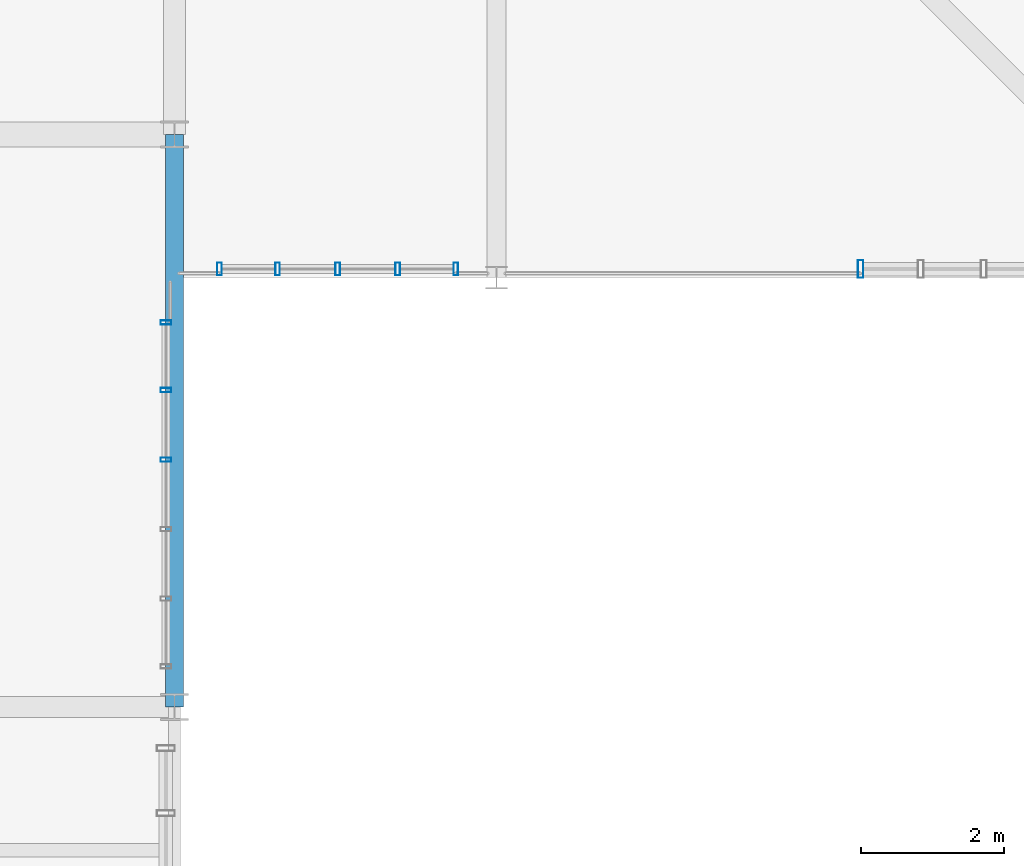
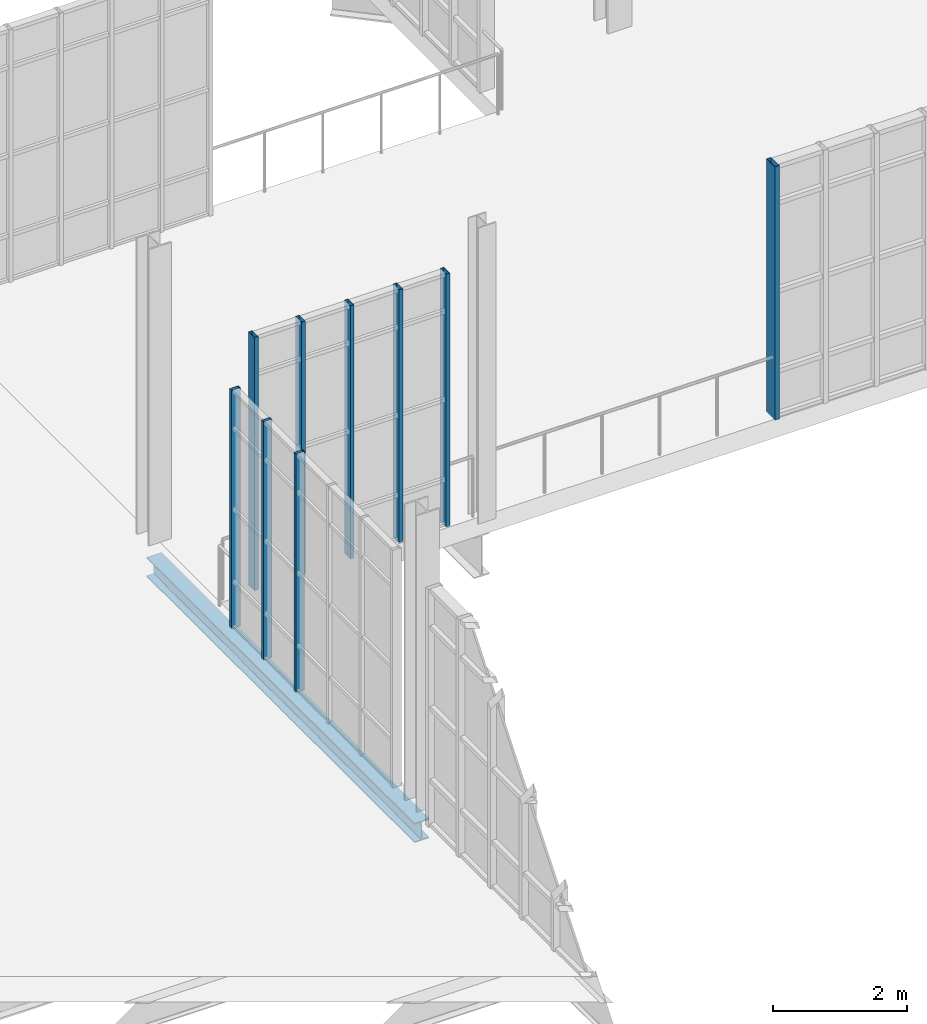
# One storey, part 22 of 189: 9 members, 1 beam, 3 elements without a shape of their own.
"""IFC4 building model written with IfcOpenShell, lengths in metres."""

from ifc_helpers import new_model, si_unit, direction, frame, origin, origin_2d, place, context, subcontext, project, spatial, hollow_rectangle, i_section, extrude, material, layer, layer_set, material_profile, profile_set, type_object, element, aggregate, save


model = new_model("IFC4")

# Units and contexts
model_context = context("Model", 3, precision=1e-05, world=origin(), true_north=direction((0.0, 1.0)))
body_context = subcontext(model_context, "Body", "Model", "MODEL_VIEW")
ifc_project = project(units=[si_unit("LENGTHUNIT", "METRE"), si_unit("AREAUNIT", "SQUARE_METRE"), si_unit("VOLUMEUNIT", "CUBIC_METRE"), si_unit("PLANEANGLEUNIT", "RADIAN"), si_unit("MASSUNIT", "GRAM", prefix="KILO"), si_unit("THERMODYNAMICTEMPERATUREUNIT", "KELVIN"), si_unit("POWERUNIT", "WATT")], contexts=[model_context])

# Site, building, storey
site_placement = place(None, origin())
site = spatial("IfcSite", under=ifc_project, at=site_placement, CompositionType="ELEMENT")
building_placement = place(site_placement, origin())
building = spatial("IfcBuilding", under=site, at=building_placement, Name="Zelmaris Science Centre", CompositionType="ELEMENT")
storey_placement = place(building_placement, origin())
storey = spatial("IfcBuildingStorey", under=building, at=storey_placement, Name="L00", CompositionType="ELEMENT", Elevation=0.0)

# Curtain wall, members
ifc_material_1 = material(Name="Anodised architectural aluminium 6063-T6", Category="aluminium")
ifc_layer_1 = layer(ifc_material_1, 0.219970703125, Name="Anodised architectural aluminium 6063-T6")
ifc_layer_set_1 = layer_set([ifc_layer_1], Name="Anodised architectural aluminium 6063-T6")
curtain_wall_type_1 = type_object("IfcCurtainWallType", Name="Curtain Wall CW-04", PredefinedType="USERDEFINED", material=ifc_layer_set_1)
curtain_wall_1_placement = place(storey_placement, origin())
curtain_wall_1 = element("IfcCurtainWall", 1, at=curtain_wall_1_placement, inside=storey, type_object=curtain_wall_type_1, Name="L00 Unitised curtain wall 124", ObjectType="GLAZED CURTAIN WALL", PredefinedType="USERDEFINED")
ifc_material_profile_1 = material_profile(ifc_material_1, hollow_rectangle(XDim=0.06005859375, YDim=0.14990234375, WallThickness=0.00341796875, at=origin_2d()), Name="ALU-MUL-60X150")
ifc_profile_set_1 = profile_set([ifc_material_profile_1], Name="Anodised architectural aluminium 6063-T6")
member_type_1 = type_object("IfcMemberType", Name="ALU-MUL-60X150", PredefinedType="MULLION", material=ifc_profile_set_1)
member_1_placement = place(storey_placement, frame((53.8798828125, 21.3740234375, -0.014892578125), z_axis=(0.0, 0.0, 1.0), x_axis=(-5.235988e-06, -0.999999999986, 0.0)))
member_1 = element("IfcMember", 2, at=member_1_placement, type_object=member_type_1, Name="CW-04 mullion 1", PredefinedType="MULLION", context=body_context, shape_type="SweptSolid", body=[
    extrude(hollow_rectangle(XDim=0.06005859375, YDim=0.14990234375, WallThickness=0.00341796875, at=origin_2d()), origin(), (0.0, 0.0, 1.0), 4.345947265625),
])
member_2_placement = place(storey_placement, frame((53.8798828125, 20.427978515625, -0.014892578125), z_axis=(0.0, 0.0, 1.0), x_axis=(-5.235988e-06, -0.999999999986, 0.0)))
member_2 = element("IfcMember", 3, at=member_2_placement, type_object=member_type_1, Name="CW-04 mullion 2", PredefinedType="MULLION", context=body_context, shape_type="SweptSolid", body=[
    extrude(hollow_rectangle(XDim=0.06005859375, YDim=0.14990234375, WallThickness=0.00341796875, at=origin_2d()), origin(), (0.0, 0.0, 1.0), 4.345947265625),
])
member_3_placement = place(storey_placement, frame((53.8798828125, 19.4560546875, -0.014892578125), z_axis=(0.0, 0.0, 1.0), x_axis=(-5.235988e-06, -0.999999999986, 0.0)))
member_3 = element("IfcMember", 4, at=member_3_placement, type_object=member_type_1, Name="CW-04 mullion 3", PredefinedType="MULLION", context=body_context, shape_type="SweptSolid", body=[
    extrude(hollow_rectangle(XDim=0.06005859375, YDim=0.14990234375, WallThickness=0.00341796875, at=origin_2d()), origin(), (0.0, 0.0, 1.0), 4.345947265625),
])
aggregate(curtain_wall_1, [member_1, member_2, member_3])

ifc_layer_2 = layer(ifc_material_1, 0.2099609375, Name="Anodised architectural aluminium 6063-T6")
ifc_layer_set_2 = layer_set([ifc_layer_2], Name="Anodised architectural aluminium 6063-T6")
curtain_wall_type_2 = type_object("IfcCurtainWallType", Name="Curtain Wall CW-03", PredefinedType="USERDEFINED", material=ifc_layer_set_2)
curtain_wall_2_placement = place(storey_placement, origin())
curtain_wall_2 = element("IfcCurtainWall", 5, at=curtain_wall_2_placement, inside=storey, type_object=curtain_wall_type_2, Name="L00 Unitised curtain wall 123", ObjectType="GLAZED CURTAIN WALL", PredefinedType="USERDEFINED")
ifc_material_profile_2 = material_profile(ifc_material_1, hollow_rectangle(XDim=0.06494140625, YDim=0.179931640625, WallThickness=0.00390625, at=origin_2d()), Name="ALU-MUL-65X180")
ifc_profile_set_2 = profile_set([ifc_material_profile_2], Name="Anodised architectural aluminium 6063-T6")
member_type_2 = type_object("IfcMemberType", Name="ALU-MUL-65X180", PredefinedType="MULLION", material=ifc_profile_set_2)
member_4_placement = place(storey_placement, frame((57.931396484375, 22.119873046875, -0.014892578125), z_axis=(0.0, 0.0, 1.0), x_axis=(-0.999999999816, 1.9198622e-05, 0.0)))
member_4 = element("IfcMember", 6, at=member_4_placement, type_object=member_type_2, Name="CW-03 mullion 1", PredefinedType="MULLION", context=body_context, shape_type="SweptSolid", body=[
    extrude(hollow_rectangle(XDim=0.06494140625, YDim=0.179931640625, WallThickness=0.00390625, at=origin_2d()), origin(), (0.0, 0.0, 1.0), 4.614990234375),
])
member_5_placement = place(storey_placement, frame((57.1201171875, 22.119873046875, -0.014892578125), z_axis=(0.0, 0.0, 1.0), x_axis=(-0.999999999816, 1.9198622e-05, 0.0)))
member_5 = element("IfcMember", 7, at=member_5_placement, type_object=member_type_2, Name="CW-03 mullion 2", PredefinedType="MULLION", context=body_context, shape_type="SweptSolid", body=[
    extrude(hollow_rectangle(XDim=0.06494140625, YDim=0.179931640625, WallThickness=0.00390625, at=origin_2d()), origin(), (0.0, 0.0, 1.0), 4.614990234375),
])
member_6_placement = place(storey_placement, frame((56.280029296875, 22.119873046875, -0.014892578125), z_axis=(0.0, 0.0, 1.0), x_axis=(-0.999999999816, 1.9198622e-05, 0.0)))
member_6 = element("IfcMember", 8, at=member_6_placement, type_object=member_type_2, Name="CW-03 mullion 3", PredefinedType="MULLION", context=body_context, shape_type="SweptSolid", body=[
    extrude(hollow_rectangle(XDim=0.06494140625, YDim=0.179931640625, WallThickness=0.00390625, at=origin_2d()), origin(), (0.0, 0.0, 1.0), 4.614990234375),
])
member_7_placement = place(storey_placement, frame((55.43994140625, 22.119873046875, -0.014892578125), z_axis=(0.0, 0.0, 1.0), x_axis=(-0.999999999816, 1.9198622e-05, 0.0)))
member_7 = element("IfcMember", 9, at=member_7_placement, type_object=member_type_2, Name="CW-03 mullion 4", PredefinedType="MULLION", context=body_context, shape_type="SweptSolid", body=[
    extrude(hollow_rectangle(XDim=0.06494140625, YDim=0.179931640625, WallThickness=0.00390625, at=origin_2d()), origin(), (0.0, 0.0, 1.0), 4.614990234375),
])
member_8_placement = place(storey_placement, frame((54.62841796875, 22.1201171875, -0.014892578125), z_axis=(0.0, 0.0, 1.0), x_axis=(-0.999999999816, 1.9198622e-05, 0.0)))
member_8 = element("IfcMember", 10, at=member_8_placement, type_object=member_type_2, Name="CW-03 mullion 5", PredefinedType="MULLION", context=body_context, shape_type="SweptSolid", body=[
    extrude(hollow_rectangle(XDim=0.06494140625, YDim=0.179931640625, WallThickness=0.00390625, at=origin_2d()), origin(), (0.0, 0.0, 1.0), 4.614990234375),
])
aggregate(curtain_wall_2, [member_4, member_5, member_6, member_7, member_8])

# Curtain wall, member
ifc_layer_3 = layer(ifc_material_1, 0.18994140625, Name="Anodised architectural aluminium 6063-T6")
ifc_layer_set_3 = layer_set([ifc_layer_3], Name="Anodised architectural aluminium 6063-T6")
curtain_wall_type_3 = type_object("IfcCurtainWallType", Name="Curtain Wall CW-01", PredefinedType="USERDEFINED", material=ifc_layer_set_3)
curtain_wall_3_placement = place(storey_placement, origin())
curtain_wall_3 = element("IfcCurtainWall", 11, at=curtain_wall_3_placement, inside=storey, type_object=curtain_wall_type_3, Name="L00 Unitised curtain wall 121", ObjectType="GLAZED CURTAIN WALL", PredefinedType="USERDEFINED")
ifc_material_profile_3 = material_profile(ifc_material_1, hollow_rectangle(XDim=0.080078125, YDim=0.25, WallThickness=0.0048828125, at=origin_2d()), Name="ALU-MUL-80X250")
ifc_profile_set_3 = profile_set([ifc_material_profile_3], Name="Anodised architectural aluminium 6063-T6")
member_type_3 = type_object("IfcMemberType", Name="ALU-MUL-80X250", PredefinedType="MULLION", material=ifc_profile_set_3)
member_9_placement = place(storey_placement, frame((63.58642578125, 22.119873046875, -0.014892578125), z_axis=(0.0, 0.0, 1.0), x_axis=(-0.999999999816, 1.9198622e-05, 0.0)))
member_9 = element("IfcMember", 12, at=member_9_placement, type_object=member_type_3, Name="CW-01 mullion 6", PredefinedType="MULLION", context=body_context, shape_type="SweptSolid", body=[
    extrude(hollow_rectangle(XDim=0.080078125, YDim=0.25, WallThickness=0.0048828125, at=origin_2d()), origin(), (0.0, 0.0, 1.0), 4.614990234375),
])
aggregate(curtain_wall_3, [member_9])

# Beam
ifc_material_2 = material(Name="Steel ASTM A992 Grade 50", Category="steel")
ifc_material_profile_4 = material_profile(ifc_material_2, i_section(OverallWidth=0.25390625, OverallDepth=0.35595703125, WebThickness=0.010498046875, FlangeThickness=0.018310546875, FilletRadius=0.014892578125, at=origin_2d()), Name="W14X68")
ifc_profile_set_4 = profile_set([ifc_material_profile_4], Name="Steel ASTM A992 Grade 50")
beam_type = type_object("IfcBeamType", Name="Beam G-41 W14X68", PredefinedType="BEAM", material=ifc_profile_set_4)
beam_placement = place(storey_placement, frame((54.0, 16.0, -0.51806640625), z_axis=(0.0, 1.0, 0.0), x_axis=(-1.0, 0.0, 0.0)))
element("IfcBeam", 13, at=beam_placement, inside=storey, type_object=beam_type, Name="L00 North-south girder 30", PredefinedType="BEAM", context=body_context, shape_type="SweptSolid", body=[
    extrude(i_section(OverallWidth=0.25390625, OverallDepth=0.35595703125, WebThickness=0.010498046875, FlangeThickness=0.018310546875, FilletRadius=0.014892578125, at=origin_2d()), origin(), (0.0, 0.0, 1.0), 8.0),
])

save(model, "model.ifc")
